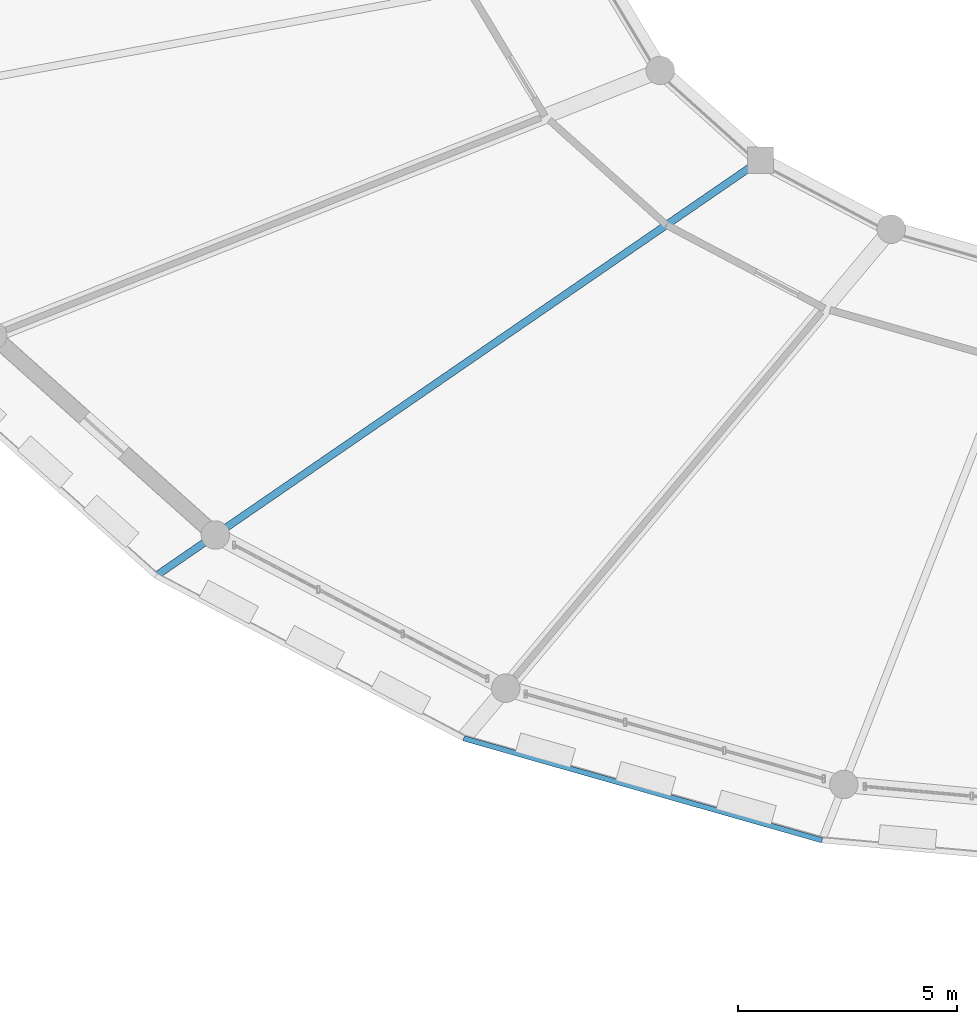
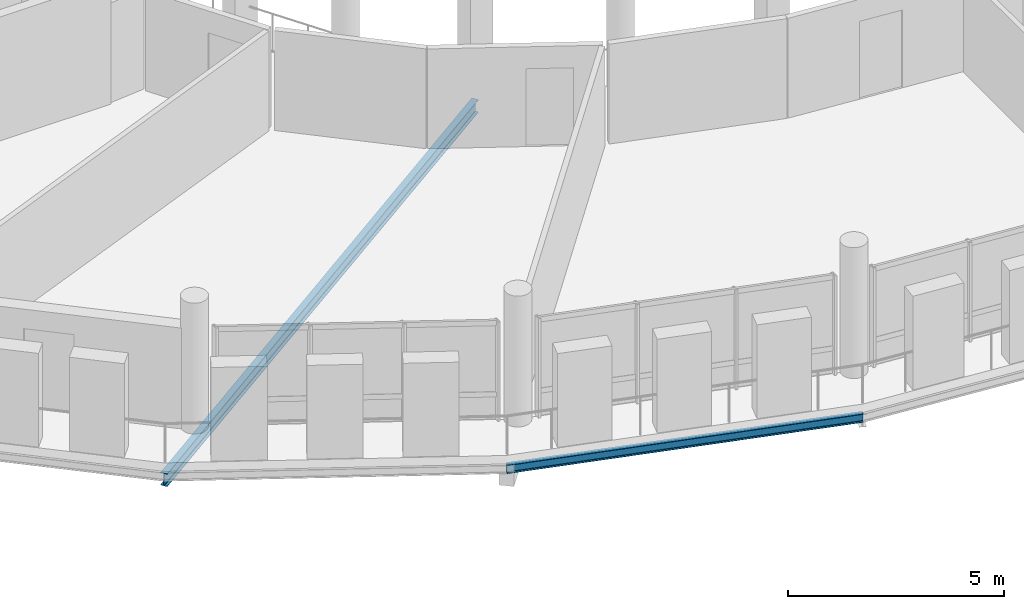
# One storey, part 25 of 84: 2 beams.
"""IFC4 building model written with IfcOpenShell, lengths in metres."""

from ifc_helpers import new_model, si_unit, direction, frame, origin, origin_2d, place, context, subcontext, project, spatial, i_section, extrude, material, material_profile, profile_set, type_object, element, save


model = new_model("IFC4")

# Units and contexts
model_context = context("Model", 3, precision=1e-05, world=origin(), true_north=direction((0.0, 1.0)))
body_context = subcontext(model_context, "Body", "Model", "MODEL_VIEW")
ifc_project = project(units=[si_unit("LENGTHUNIT", "METRE"), si_unit("AREAUNIT", "SQUARE_METRE"), si_unit("VOLUMEUNIT", "CUBIC_METRE"), si_unit("PLANEANGLEUNIT", "RADIAN"), si_unit("MASSUNIT", "GRAM", prefix="KILO")], contexts=[model_context])

# Site, building, storey
site_placement = place(None, origin())
site = spatial("IfcSite", under=ifc_project, at=site_placement, CompositionType="ELEMENT")
building_placement = place(site_placement, origin())
building = spatial("IfcBuilding", under=site, at=building_placement, Name="Zornivar Specialist Clinic", CompositionType="ELEMENT")
storey_placement = place(building_placement, frame((0.0, 0.0, 12.300048828125)))
storey = spatial("IfcBuildingStorey", under=building, at=storey_placement, Name="L03", CompositionType="ELEMENT", Elevation=12.300048828125)

# Beams
ifc_material_1 = material(Name="Steel S355J2", Category="steel")
ifc_material_profile_1 = material_profile(ifc_material_1, i_section(OverallWidth=0.1201171875, OverallDepth=0.239990234375, WebThickness=0.006103515625, FlangeThickness=0.009765625, FilletRadius=0.014892578125, at=origin_2d()), Name="IPE 240")
ifc_profile_set_1 = profile_set([ifc_material_profile_1], Name="Steel S355J2")
beam_type_1 = type_object("IfcBeamType", Name="BM-STL-IPE240", PredefinedType="JOIST", material=ifc_profile_set_1)
beam_1_placement = place(storey_placement, frame((76.639892578125, 37.404052734375, -0.360107421875), z_axis=(0.961783454314, -0.273811225131, 0.0), x_axis=(0.273811225131, 0.961783454314, 0.0)))
element("IfcBeam", 1, at=beam_1_placement, inside=storey, type_object=beam_type_1, Name="bm:V1:L03:balring:16", PredefinedType="JOIST", context=body_context, shape_type="SweptSolid", body=[
    extrude(i_section(OverallWidth=0.1201171875, OverallDepth=0.239990234375, WebThickness=0.006103515625, FlangeThickness=0.009765625, FilletRadius=0.014892578125, at=origin_2d()), origin(), (0.0, 0.0, 1.0), 8.50634765625),
])
ifc_material_2 = material(Name="Steel S355J2", Category="steel")
ifc_material_profile_2 = material_profile(ifc_material_2, i_section(OverallWidth=0.169921875, OverallDepth=0.360107421875, WebThickness=0.008056640625, FlangeThickness=0.0126953125, FilletRadius=0.01806640625, at=origin_2d()), Name="IPE 360")
ifc_profile_set_2 = profile_set([ifc_material_profile_2], Name="Steel S355J2")
beam_type_2 = type_object("IfcBeamType", Name="BM-STL-IPE360", PredefinedType="BEAM", material=ifc_profile_set_2)
beam_2_placement = place(storey_placement, frame((83.41796875, 50.60009765625, -0.469970703125), z_axis=(-0.82402959127, -0.566546761276, 0.0), x_axis=(0.566546761276, -0.82402959127, 0.0)))
element("IfcBeam", 2, at=beam_2_placement, inside=storey, type_object=beam_type_2, Name="bm:V1:L03:radmid:15", PredefinedType="BEAM", context=body_context, shape_type="SweptSolid", body=[
    extrude(i_section(OverallWidth=0.169921875, OverallDepth=0.360107421875, WebThickness=0.008056640625, FlangeThickness=0.0126953125, FilletRadius=0.01806640625, at=origin_2d()), origin(), (0.0, 0.0, 1.0), 16.75048828125),
])

save(model, "model.ifc")
